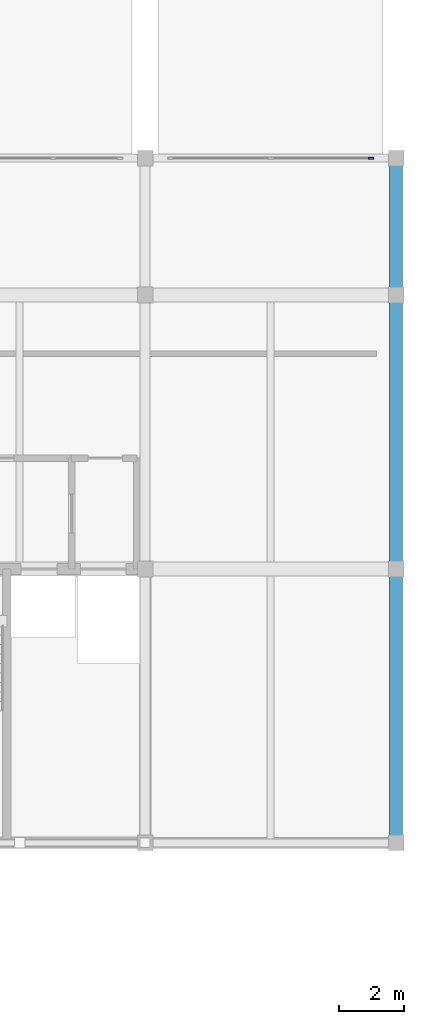
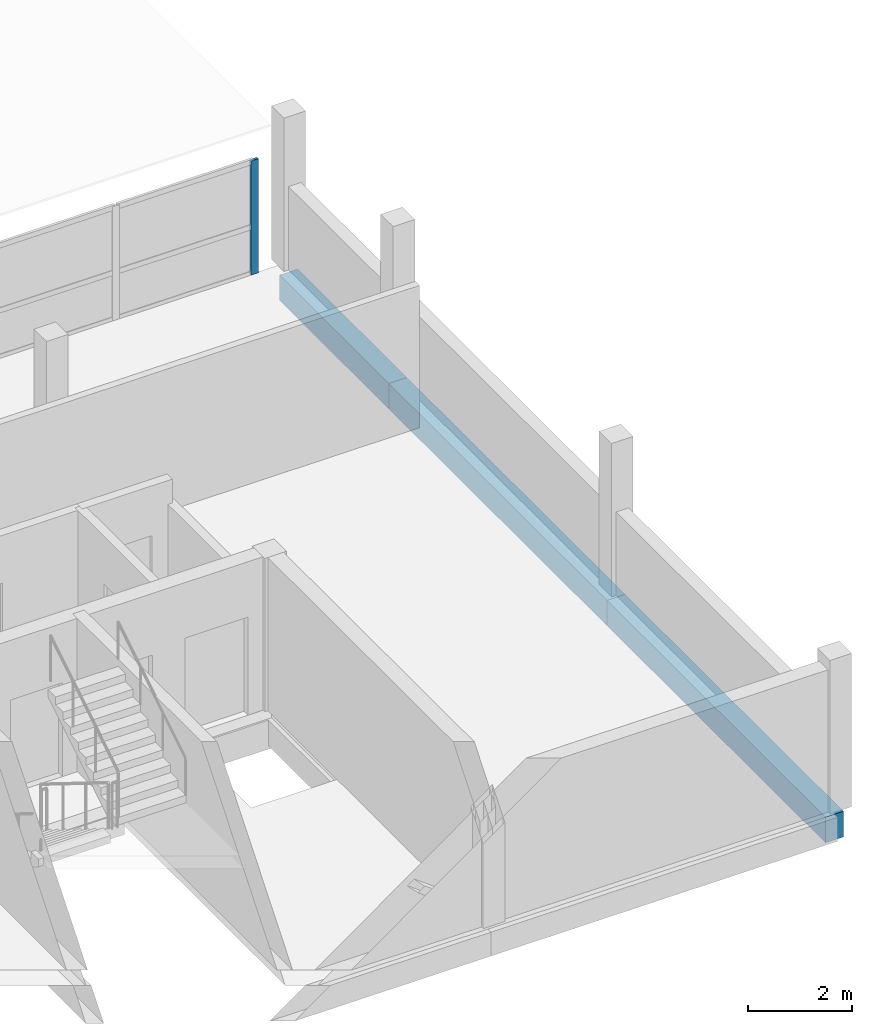
# One storey, part 32 of 51: 3 beams, 1 member, 1 element without a shape of its own.
"""IFC4 building model written with IfcOpenShell, lengths in metres."""

from ifc_helpers import new_model, si_unit, direction, frame, origin, origin_2d, place, context, subcontext, project, spatial, rectangle, extrude, material, material_profile, profile_set, type_object, element, aggregate, save


model = new_model("IFC4")

# Units and contexts
model_context = context("Model", 3, precision=1e-05, world=origin(), true_north=direction((0.0, 1.0)))
body_context = subcontext(model_context, "Body", "Model", "MODEL_VIEW")
ifc_project = project(units=[si_unit("LENGTHUNIT", "METRE"), si_unit("AREAUNIT", "SQUARE_METRE"), si_unit("VOLUMEUNIT", "CUBIC_METRE"), si_unit("PLANEANGLEUNIT", "RADIAN"), si_unit("MASSUNIT", "GRAM", prefix="KILO")], contexts=[model_context])

# Site, building, storey
site_placement = place(None, origin())
site = spatial("IfcSite", under=ifc_project, at=site_placement, CompositionType="ELEMENT")
building_placement = place(site_placement, origin())
building = spatial("IfcBuilding", under=site, at=building_placement, Name="Vharandega Faculty of Natural Sciences", CompositionType="ELEMENT")
storey_placement = place(building_placement, frame((0.0, 0.0, 18.0)))
storey = spatial("IfcBuildingStorey", under=building, at=storey_placement, Name="L04", CompositionType="ELEMENT", Elevation=18.0)

# Curtain wall, member
ifc_material_1 = material(Name="Aluminium and solar-control glass curtain wall", Category="aluminium")
curtain_wall_type = type_object("IfcCurtainWallType", Name="Unitised Curtain Wall System CW-26", PredefinedType="NOTDEFINED", material=ifc_material_1)
curtain_wall_placement = place(storey_placement, origin())
curtain_wall = element("IfcCurtainWall", 1, at=curtain_wall_placement, inside=storey, type_object=curtain_wall_type, Name="Curtain Wall CW-L04-025", PredefinedType="NOTDEFINED")
ifc_material_2 = material(Name="Thermally broken aluminium 6063-T6", Category="aluminium")
ifc_material_profile_1 = material_profile(ifc_material_2, rectangle(XDim=0.06005859375, YDim=0.159912109375, at=origin_2d()), Name="ALU 60x160")
ifc_profile_set_1 = profile_set([ifc_material_profile_1], Name="Thermally broken aluminium 6063-T6")
member_type = type_object("IfcMemberType", Name="CW Mullion 60x160", PredefinedType="MULLION", material=ifc_profile_set_1)
member_placement = place(storey_placement, frame((160.6298828125, 85.0, 0.0), z_axis=(0.0, 0.0, 1.0), x_axis=(0.0, 1.0, 0.0)))
member = element("IfcMember", 2, at=member_placement, type_object=member_type, Name="CW-26 mullion 3", PredefinedType="MULLION", context=body_context, shape_type="SweptSolid", body=[
    extrude(rectangle(XDim=0.06005859375, YDim=0.159912109375, at=origin_2d()), origin(), (0.0, 0.0, 1.0), 2.679931640625),
])
aggregate(curtain_wall, [member])

# Beams
ifc_material_3 = material(Name="Glulam GL32h", Category="wood")
ifc_material_profile_2 = material_profile(ifc_material_3, rectangle(XDim=0.39990234375, YDim=0.60009765625, at=origin_2d()), Name="GL32h 400x600")
ifc_profile_set_2 = profile_set([ifc_material_profile_2], Name="Glulam GL32h")
beam_type = type_object("IfcBeamType", Name="Glulam Spine Girder 400x600", PredefinedType="BEAM", material=ifc_profile_set_2)
beam_1_placement = place(storey_placement, frame((161.39990234375, 64.0, -0.5400390625), z_axis=(0.0, 1.0, 0.0), x_axis=(-1.0, 0.0, 0.0)))
element("IfcBeam", 3, at=beam_1_placement, inside=storey, type_object=beam_type, Name="Beam L04 21/J-K", PredefinedType="BEAM", context=body_context, shape_type="SweptSolid", body=[
    extrude(rectangle(XDim=0.39990234375, YDim=0.60009765625, at=origin_2d()), origin(), (0.0, 0.0, 1.0), 8.39990234375),
])
beam_2_placement = place(storey_placement, frame((161.39990234375, 72.39990234375, -0.5400390625), z_axis=(0.0, 1.0, 0.0), x_axis=(-1.0, 0.0, 0.0)))
element("IfcBeam", 4, at=beam_2_placement, inside=storey, type_object=beam_type, Name="Beam L04 21/K-L", PredefinedType="BEAM", context=body_context, shape_type="SweptSolid", body=[
    extrude(rectangle(XDim=0.39990234375, YDim=0.60009765625, at=origin_2d()), origin(), (0.0, 0.0, 1.0), 8.400146484375),
])
beam_3_placement = place(storey_placement, frame((161.39990234375, 80.800048828125, -0.5400390625), z_axis=(0.0, 1.0, 0.0), x_axis=(-1.0, 0.0, 0.0)))
element("IfcBeam", 5, at=beam_3_placement, inside=storey, type_object=beam_type, Name="Beam L04 21/L-M", PredefinedType="BEAM", context=body_context, shape_type="SweptSolid", body=[
    extrude(rectangle(XDim=0.39990234375, YDim=0.60009765625, at=origin_2d()), origin(), (0.0, 0.0, 1.0), 4.199951171875),
])

save(model, "model.ifc")
